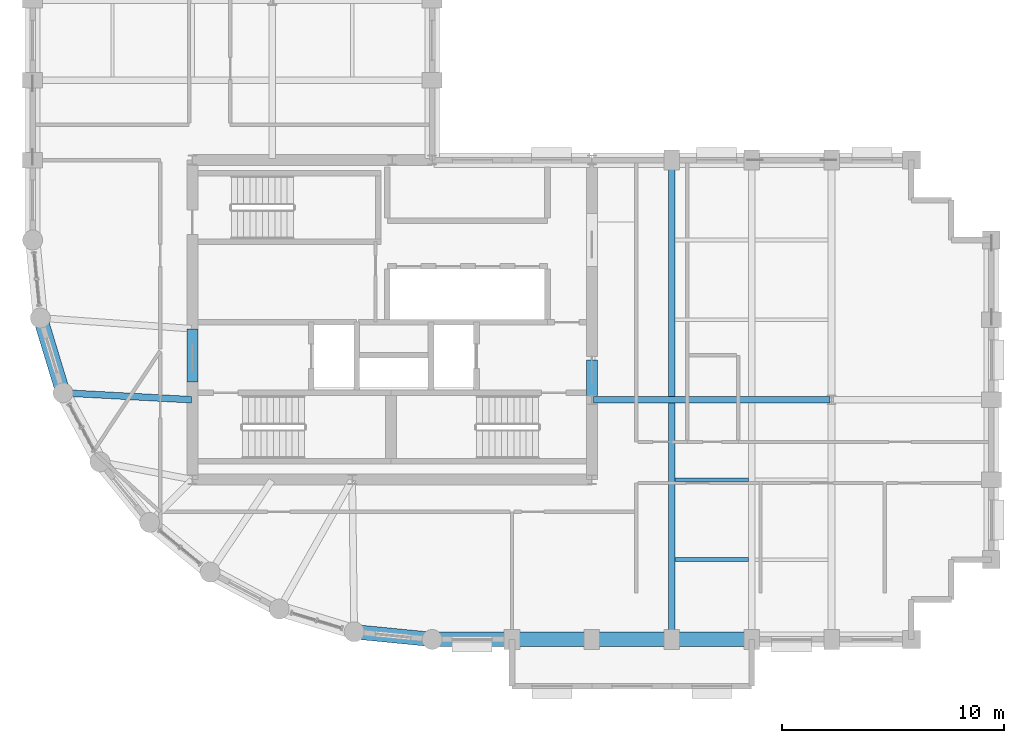
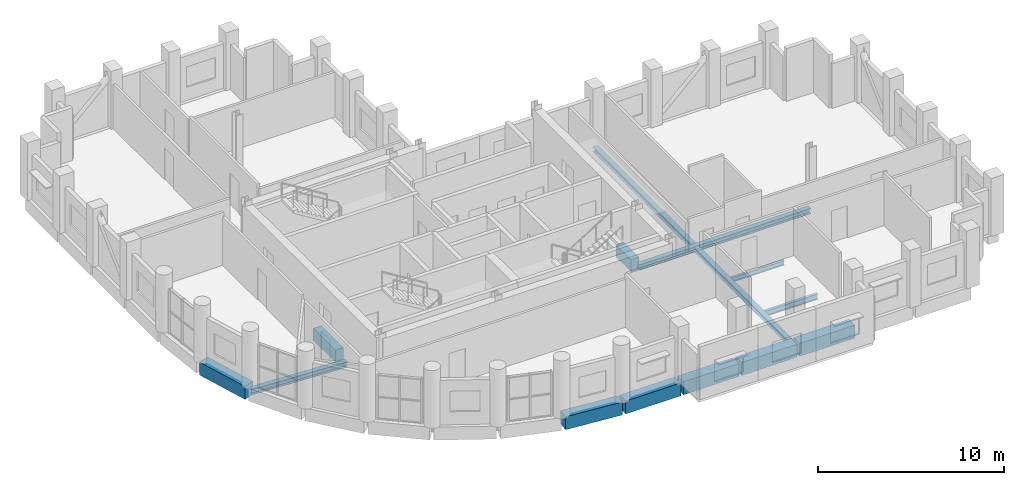
# One storey, part 3 of 11: 13 beams.
"""IFC4 building model written with IfcOpenShell, lengths in metres."""

from ifc_helpers import new_model, si_unit, direction, frame, origin, origin_2d, place, context, subcontext, project, spatial, rectangle, i_section, extrude, material, material_profile, profile_set, type_object, element, save


model = new_model("IFC4")

# Units and contexts
model_context = context("Model", 3, precision=1e-05, world=origin(), true_north=direction((0.0, 1.0)))
body_context = subcontext(model_context, "Body", "Model", "MODEL_VIEW")
ifc_project = project(units=[si_unit("LENGTHUNIT", "METRE"), si_unit("AREAUNIT", "SQUARE_METRE"), si_unit("VOLUMEUNIT", "CUBIC_METRE"), si_unit("PLANEANGLEUNIT", "RADIAN"), si_unit("MASSUNIT", "GRAM", prefix="KILO")], contexts=[model_context])

# Site, building, storey
site_placement = place(None, origin())
site = spatial("IfcSite", under=ifc_project, at=site_placement, CompositionType="ELEMENT")
building_placement = place(site_placement, origin())
building = spatial("IfcBuilding", under=site, at=building_placement, Name="Solnavia Interchange Tower", CompositionType="ELEMENT")
storey_placement = place(building_placement, frame((0.0, 0.0, 205.199951171875)))
storey = spatial("IfcBuildingStorey", under=building, at=storey_placement, Name="L51", CompositionType="ELEMENT", Elevation=205.199951171875)

# Beams
ifc_material_1 = material(Name="Concrete C50/60", Category="concrete")
ifc_material_profile_1 = material_profile(ifc_material_1, rectangle(XDim=0.5, YDim=0.800048828125, at=origin_2d()), Name="RC 500x800")
ifc_profile_set_1 = profile_set([ifc_material_profile_1], Name="Concrete C50/60")
beam_type_1 = type_object("IfcBeamType", Name="Beam-Coupling-RC500x800", PredefinedType="LINTEL", material=ifc_profile_set_1)
beam_1_placement = place(storey_placement, frame((14.39990234375, 15.199951171875, -0.39990234375), z_axis=(0.0, 1.0, 0.0), x_axis=(-1.0, 0.0, 0.0)))
element("IfcBeam", 1, at=beam_1_placement, inside=storey, type_object=beam_type_1, Name="CPB-L51-W1 Core coupling lintel beam", PredefinedType="LINTEL", context=body_context, shape_type="SweptSolid", body=[
    extrude(rectangle(XDim=0.5, YDim=0.800048828125, at=origin_2d()), origin(), (0.0, 0.0, 1.0), 2.400146484375),
])
beam_2_placement = place(storey_placement, frame((32.39990234375, 14.60009765625, -0.39990234375), z_axis=(0.0, 1.0, 0.0), x_axis=(-1.0, 0.0, 0.0)))
element("IfcBeam", 2, at=beam_2_placement, inside=storey, type_object=beam_type_1, Name="CPB-L51-E1 Core coupling lintel beam", PredefinedType="LINTEL", context=body_context, shape_type="SweptSolid", body=[
    extrude(rectangle(XDim=0.5, YDim=0.800048828125, at=origin_2d()), origin(), (0.0, 0.0, 1.0), 1.599853515625),
])
ifc_material_2 = material(Name="Steel S460", Category="steel")
ifc_material_profile_2 = material_profile(ifc_material_2, i_section(OverallWidth=0.300048828125, OverallDepth=0.360107421875, WebThickness=0.012451171875, FlangeThickness=0.0224609375, FilletRadius=0.027099609375, at=origin_2d()), Name="HEB 360")
ifc_profile_set_2 = profile_set([ifc_material_profile_2], Name="Steel S460")
beam_type_2 = type_object("IfcBeamType", Name="Beam-Girder-HEB360", PredefinedType="BEAM", material=ifc_profile_set_2)
beam_3_placement = place(storey_placement, frame((32.47998046875, 14.39990234375, -0.429931640625), z_axis=(1.0, 0.0, 0.0), x_axis=(0.0, 1.0, 0.0)))
element("IfcBeam", 3, at=beam_3_placement, inside=storey, type_object=beam_type_2, Name="GRD-L51-ES01 East wing spine girder", PredefinedType="BEAM", context=body_context, shape_type="SweptSolid", body=[
    extrude(i_section(OverallWidth=0.300048828125, OverallDepth=0.360107421875, WebThickness=0.012451171875, FlangeThickness=0.0224609375, FilletRadius=0.027099609375, at=origin_2d()), origin(), (0.0, 0.0, 1.0), 10.64013671875),
])
beam_4_placement = place(storey_placement, frame((8.64990234375, 14.707763671875, -0.429931640625), z_axis=(0.998570371303, -0.053452909696, 0.0), x_axis=(0.053452909696, 0.998570371303, 0.0)))
element("IfcBeam", 4, at=beam_4_placement, inside=storey, type_object=beam_type_2, Name="GRD-L51-DR13 Drum radial floor girder", PredefinedType="BEAM", context=body_context, shape_type="SweptSolid", body=[
    extrude(i_section(OverallWidth=0.300048828125, OverallDepth=0.360107421875, WebThickness=0.012451171875, FlangeThickness=0.0224609375, FilletRadius=0.027099609375, at=origin_2d()), origin(), (0.0, 0.0, 1.0), 5.71826171875),
])
ifc_material_3 = material(Name="Steel S355", Category="steel")
ifc_material_profile_3 = material_profile(ifc_material_3, i_section(OverallWidth=0.14990234375, OverallDepth=0.300048828125, WebThickness=0.007080078125, FlangeThickness=0.0107421875, FilletRadius=0.014892578125, at=origin_2d()), Name="IPE 300")
ifc_profile_set_3 = profile_set([ifc_material_profile_3], Name="Steel S355")
beam_type_3 = type_object("IfcBeamType", Name="Beam-Joist-IPE300", PredefinedType="JOIST", material=ifc_profile_set_3)
beam_5_placement = place(storey_placement, frame((36.14990234375, 10.800048828125, -0.39990234375), z_axis=(1.0, 0.0, 0.0), x_axis=(0.0, 1.0, 0.0)))
element("IfcBeam", 5, at=beam_5_placement, inside=storey, type_object=beam_type_3, Name="JST-L51-E03 East wing secondary joist", PredefinedType="JOIST", context=body_context, shape_type="SweptSolid", body=[
    extrude(i_section(OverallWidth=0.14990234375, OverallDepth=0.300048828125, WebThickness=0.007080078125, FlangeThickness=0.0107421875, FilletRadius=0.014892578125, at=origin_2d()), origin(), (0.0, 0.0, 1.0), 3.300048828125),
])
ifc_material_profile_4 = material_profile(ifc_material_3, i_section(OverallWidth=0.169921875, OverallDepth=0.360107421875, WebThickness=0.008056640625, FlangeThickness=0.0126953125, FilletRadius=0.01806640625, at=origin_2d()), Name="IPE 360")
ifc_profile_set_4 = profile_set([ifc_material_profile_4], Name="Steel S355")
beam_type_4 = type_object("IfcBeamType", Name="Beam-Joist-IPE360", PredefinedType="JOIST", material=ifc_profile_set_4)
beam_6_placement = place(storey_placement, frame((36.14990234375, 7.199951171875, -0.429931640625), z_axis=(1.0, 0.0, 0.0), x_axis=(0.0, 1.0, 0.0)))
element("IfcBeam", 6, at=beam_6_placement, inside=storey, type_object=beam_type_4, Name="JST-L51-E01 East wing secondary joist", PredefinedType="JOIST", context=body_context, shape_type="SweptSolid", body=[
    extrude(i_section(OverallWidth=0.169921875, OverallDepth=0.360107421875, WebThickness=0.008056640625, FlangeThickness=0.0126953125, FilletRadius=0.01806640625, at=origin_2d()), origin(), (0.0, 0.0, 1.0), 3.300048828125),
])
ifc_material_profile_5 = material_profile(ifc_material_3, i_section(OverallWidth=0.300048828125, OverallDepth=0.31005859375, WebThickness=0.009033203125, FlangeThickness=0.015380859375, FilletRadius=0.027099609375, at=origin_2d()), Name="HEA 320")
ifc_profile_set_5 = profile_set([ifc_material_profile_5], Name="Steel S355")
beam_type_5 = type_object("IfcBeamType", Name="Beam-Primary-HEA320", PredefinedType="BEAM", material=ifc_profile_set_5)
beam_7_placement = place(storey_placement, frame((36.0, 3.679931640625, -0.405029296875), z_axis=(0.0, 1.0, 0.0), x_axis=(-1.0, 0.0, 0.0)))
element("IfcBeam", 7, at=beam_7_placement, inside=storey, type_object=beam_type_5, Name="GRD-L51-EW03 East wing primary floor girder", PredefinedType="BEAM", context=body_context, shape_type="SweptSolid", body=[
    extrude(i_section(OverallWidth=0.300048828125, OverallDepth=0.31005859375, WebThickness=0.009033203125, FlangeThickness=0.015380859375, FilletRadius=0.027099609375, at=origin_2d()), origin(), (0.0, 0.0, 1.0), 21.440185546875),
])
ifc_material_profile_6 = material_profile(ifc_material_1, rectangle(XDim=0.64990234375, YDim=0.85009765625, at=origin_2d()), Name="RC 650x850")
ifc_profile_set_6 = profile_set([ifc_material_profile_6], Name="Concrete C50/60")
beam_type_6 = type_object("IfcBeamType", Name="Beam-Spandrel-RC650x850", PredefinedType="SPANDREL", material=ifc_profile_set_6)
beam_8_placement = place(storey_placement, frame((7.569091796875, 18.011474609375, -0.425048828125), z_axis=(0.290319223646, -0.956929855518, 0.0), x_axis=(0.956929855518, 0.290319223646, 0.0)))
element("IfcBeam", 8, at=beam_8_placement, inside=storey, type_object=beam_type_6, Name="SPB-L51-02 Framed-tube perimeter spandrel beam", PredefinedType="SPANDREL", context=body_context, shape_type="SweptSolid", body=[
    extrude(rectangle(XDim=0.64990234375, YDim=0.85009765625, at=origin_2d()), origin(), (0.0, 0.0, 1.0), 3.367919921875),
])
beam_9_placement = place(storey_placement, frame((21.767578125, 3.938232421875, -0.425048828125), z_axis=(0.995181774609, -0.098047108501, 0.0), x_axis=(0.098047108501, 0.995181774609, 0.0)))
element("IfcBeam", 9, at=beam_9_placement, inside=storey, type_object=beam_type_6, Name="SPB-L51-08 Framed-tube perimeter spandrel beam", PredefinedType="SPANDREL", context=body_context, shape_type="SweptSolid", body=[
    extrude(rectangle(XDim=0.64990234375, YDim=0.85009765625, at=origin_2d()), origin(), (0.0, 0.0, 1.0), 3.368896484375),
])
beam_10_placement = place(storey_placement, frame((25.280029296875, 3.60009765625, -0.425048828125), z_axis=(1.0, 0.0, 0.0), x_axis=(0.0, 1.0, 0.0)))
element("IfcBeam", 10, at=beam_10_placement, inside=storey, type_object=beam_type_6, Name="SPB-L51-09 Framed-tube perimeter spandrel beam", PredefinedType="SPANDREL", context=body_context, shape_type="SweptSolid", body=[
    extrude(rectangle(XDim=0.64990234375, YDim=0.85009765625, at=origin_2d()), origin(), (0.0, 0.0, 1.0), 3.43994140625),
])
beam_11_placement = place(storey_placement, frame((28.8798828125, 3.60009765625, -0.425048828125), z_axis=(1.0, 0.0, 0.0), x_axis=(0.0, 1.0, 0.0)))
element("IfcBeam", 11, at=beam_11_placement, inside=storey, type_object=beam_type_6, Name="SPB-L51-10 Framed-tube perimeter spandrel beam", PredefinedType="SPANDREL", context=body_context, shape_type="SweptSolid", body=[
    extrude(rectangle(XDim=0.64990234375, YDim=0.85009765625, at=origin_2d()), origin(), (0.0, 0.0, 1.0), 3.440185546875),
])
for number, where, z_axis, x_axis, name in (
    (12, (32.47998046875, 3.60009765625, -0.425048828125), (1.0, 0.0, 0.0), (0.0, 1.0, 0.0), "SPB-L51-11 Framed-tube perimeter spandrel beam"),
    (13, (36.080078125, 3.60009765625, -0.425048828125), (1.0, 0.0, 0.0), (0.0, 1.0, 0.0), "SPB-L51-12 Framed-tube perimeter spandrel beam"),
):
    element("IfcBeam", number, at=place(storey_placement, frame(where, z_axis=z_axis, x_axis=x_axis)), inside=storey, type_object=beam_type_6, Name=name, PredefinedType="SPANDREL", context=body_context, shape_type="SweptSolid", body=[
        extrude(rectangle(XDim=0.64990234375, YDim=0.85009765625, at=origin_2d()), origin(), (0.0, 0.0, 1.0), 3.43994140625),
    ])

save(model, "model.ifc")
